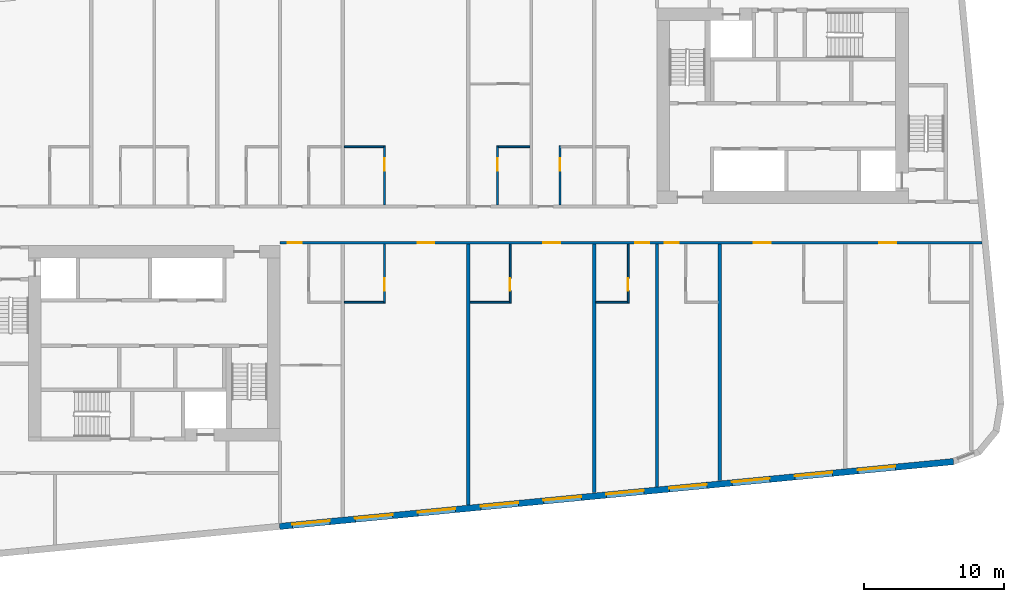
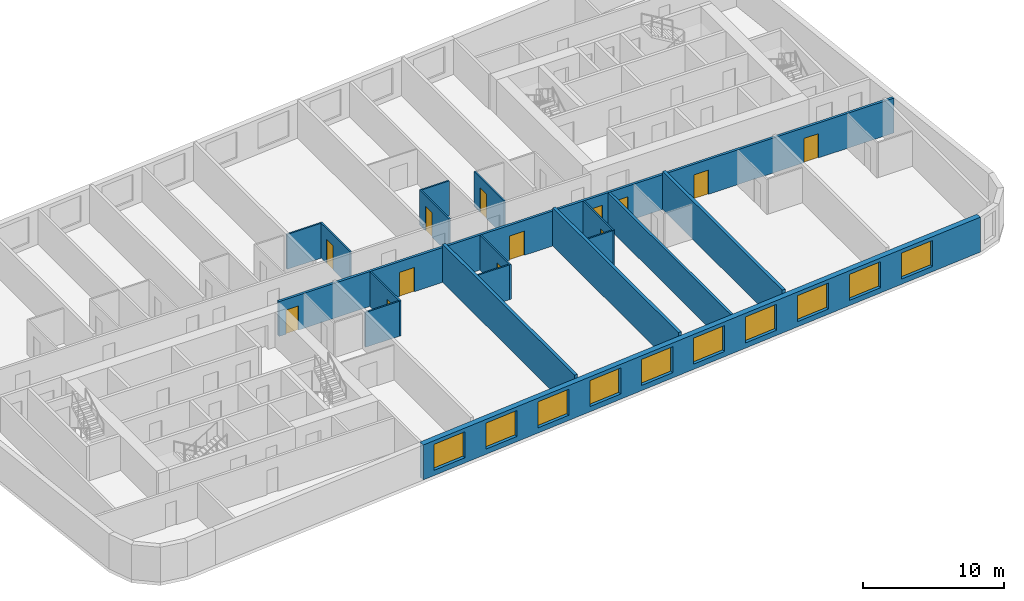
# One storey, part 4 of 11: 17 walls, 13 doors, 10 windows, 23 openings.
"""IFC4 building model written with IfcOpenShell, lengths in metres."""

from ifc_helpers import new_model, si_unit, direction, frame, frame_2d, origin, place, context, subcontext, project, spatial, rectangle, extrude, material, layer, layer_set, type_object, element, fill, save


model = new_model("IFC4")

# Units and contexts
model_context = context("Model", 3, precision=1e-05, world=origin(), true_north=direction((0.0, 1.0)))
body_context = subcontext(model_context, "Body", "Model", "MODEL_VIEW")
ifc_project = project(units=[si_unit("LENGTHUNIT", "METRE"), si_unit("AREAUNIT", "SQUARE_METRE"), si_unit("VOLUMEUNIT", "CUBIC_METRE"), si_unit("PLANEANGLEUNIT", "RADIAN"), si_unit("MASSUNIT", "GRAM", prefix="KILO")], contexts=[model_context])

# Site, building, storey
site_placement = place(None, origin())
site = spatial("IfcSite", under=ifc_project, at=site_placement, CompositionType="ELEMENT")
building_placement = place(site_placement, origin())
building = spatial("IfcBuilding", under=site, at=building_placement, Name="Kajstack Hotel Tower", CompositionType="ELEMENT")
storey_placement = place(building_placement, frame((0.0, 0.0, 291.60009765625)))
storey = spatial("IfcBuildingStorey", under=building, at=storey_placement, Name="L73", CompositionType="ELEMENT", Elevation=291.60009765625)

# Wall, openings, doors
ifc_material_1 = material(Name="Gypsum board on steel studs, mineral wool", Category="steel")
ifc_layer_1 = layer(ifc_material_1, 0.199951171875)
ifc_layer_set_1 = layer_set([ifc_layer_1], Name="Corridor wall 200")
wall_type_1 = type_object("IfcWallType", Name="Corridor wall 200", PredefinedType="PARTITIONING", material=ifc_layer_set_1)
wall_1_placement = place(storey_placement, frame((-13.5, -1.300048828125, 0.0), z_axis=(0.0, 0.0, 1.0), x_axis=(1.0, 0.0, 0.0)))
wall_1 = element("IfcWall", 1, at=wall_1_placement, inside=storey, type_object=wall_type_1, Name="G-wall-L73-028", PredefinedType="PARTITIONING", context=body_context, shape_type="SweptSolid", body=[
    extrude(rectangle(XDim=50.29296875, YDim=0.199951171875, at=frame_2d((25.146484375, 0.0))), origin(), (0.0, 0.0, 1.0), 3.02001953125),
])
opening_1_placement = place(wall_1_placement, frame((0.574951171875, 0.0, 0.0)))
opening_1 = element("IfcOpeningElement", 2, at=opening_1_placement, cuts=wall_1, Name="Opening 73022", PredefinedType="OPENING", context=body_context, shape_type="SweptSolid", body=[
    extrude(rectangle(XDim=1.0, YDim=2.10009765625, at=frame_2d((0.5, 1.050048828125))), frame((0.0, 0.10986328125, 0.0), z_axis=(0.0, -1.0, 0.0), x_axis=(1.0, 0.0, 0.0)), (0.0, 0.0, 1.0), 0.219970703125),
])
opening_2_placement = place(wall_1_placement, frame((9.863037109375, 0.0, 0.0)))
opening_2 = element("IfcOpeningElement", 3, at=opening_2_placement, cuts=wall_1, Name="Opening 73025", PredefinedType="OPENING", context=body_context, shape_type="SweptSolid", body=[
    extrude(rectangle(XDim=1.199951171875, YDim=2.10009765625, at=frame_2d((0.60009765625, 1.050048828125))), frame((0.0, 0.10986328125, 0.0), z_axis=(0.0, -1.0, 0.0), x_axis=(1.0, 0.0, 0.0)), (0.0, 0.0, 1.0), 0.219970703125),
])
opening_3_placement = place(wall_1_placement, frame((18.862060546875, 0.0, 0.0)))
opening_3 = element("IfcOpeningElement", 4, at=opening_3_placement, cuts=wall_1, Name="Opening 73027", PredefinedType="OPENING", context=body_context, shape_type="SweptSolid", body=[
    extrude(rectangle(XDim=1.199951171875, YDim=2.10009765625, at=frame_2d((0.60009765625, 1.050048828125))), frame((0.0, 0.10986328125, 0.0), z_axis=(0.0, -1.0, 0.0), x_axis=(1.0, 0.0, 0.0)), (0.0, 0.0, 1.0), 0.219970703125),
])
opening_4_placement = place(wall_1_placement, frame((25.449951171875, 0.0, 0.0)))
opening_4 = element("IfcOpeningElement", 5, at=opening_4_placement, cuts=wall_1, Name="Opening 73029", PredefinedType="OPENING", context=body_context, shape_type="SweptSolid", body=[
    extrude(rectangle(XDim=1.0, YDim=2.10009765625, at=frame_2d((0.5, 1.050048828125))), frame((0.0, 0.10986328125, 0.0), z_axis=(0.0, -1.0, 0.0), x_axis=(1.0, 0.0, 0.0)), (0.0, 0.0, 1.0), 0.219970703125),
])
opening_5_placement = place(wall_1_placement, frame((27.550048828125, 0.0, 0.0)))
opening_5 = element("IfcOpeningElement", 6, at=opening_5_placement, cuts=wall_1, Name="Opening 73031", PredefinedType="OPENING", context=body_context, shape_type="SweptSolid", body=[
    extrude(rectangle(XDim=1.0, YDim=2.10009765625, at=frame_2d((0.5, 1.050048828125))), frame((0.0, 0.10986328125, 0.0), z_axis=(0.0, -1.0, 0.0), x_axis=(1.0, 0.0, 0.0)), (0.0, 0.0, 1.0), 0.219970703125),
])
opening_6_placement = place(wall_1_placement, frame((33.93798828125, 0.0, 0.0)))
opening_6 = element("IfcOpeningElement", 7, at=opening_6_placement, cuts=wall_1, Name="Opening 73033", PredefinedType="OPENING", context=body_context, shape_type="SweptSolid", body=[
    extrude(rectangle(XDim=1.199951171875, YDim=2.10009765625, at=frame_2d((0.60009765625, 1.050048828125))), frame((0.0, 0.10986328125, 0.0), z_axis=(0.0, -1.0, 0.0), x_axis=(1.0, 0.0, 0.0)), (0.0, 0.0, 1.0), 0.219970703125),
])
opening_7_placement = place(wall_1_placement, frame((42.93798828125, 0.0, 0.0)))
opening_7 = element("IfcOpeningElement", 8, at=opening_7_placement, cuts=wall_1, Name="Opening 73035", PredefinedType="OPENING", context=body_context, shape_type="SweptSolid", body=[
    extrude(rectangle(XDim=1.199951171875, YDim=2.10009765625, at=frame_2d((0.60009765625, 1.050048828125))), frame((0.0, 0.10986328125, 0.0), z_axis=(0.0, -1.0, 0.0), x_axis=(1.0, 0.0, 0.0)), (0.0, 0.0, 1.0), 0.219970703125),
])
ifc_material_2 = material(Name="Oak veneer on timber core, fire-rated leaf", Category="wood")
door_type_1 = type_object("IfcDoorType", Name="Flat entrance door 1000", OperationType="SINGLE_SWING_LEFT", PredefinedType="DOOR", material=ifc_material_2)
door_1_placement = place(opening_1_placement, origin())
door_1 = element("IfcDoor", 9, at=door_1_placement, inside=storey, type_object=door_type_1, Name="G-door-L73-22", OperationType="SINGLE_SWING_LEFT", OverallHeight=2.10009765625, OverallWidth=1.0, PredefinedType="DOOR", context=body_context, shape_type="SweptSolid", body=[
    extrude(rectangle(XDim=1.0, YDim=2.10009765625, at=frame_2d((0.5, 1.050048828125))), frame((0.0, 0.02490234375, 0.0), z_axis=(0.0, -1.0, 0.0), x_axis=(1.0, 0.0, 0.0)), (0.0, 0.0, 1.0), 0.050048828125),
])
fill(opening_1, door_1)
door_2_placement = place(opening_4_placement, origin())
door_2 = element("IfcDoor", 10, at=door_2_placement, inside=storey, type_object=door_type_1, Name="G-door-L73-29", OperationType="SINGLE_SWING_LEFT", OverallHeight=2.10009765625, OverallWidth=1.0, PredefinedType="DOOR", context=body_context, shape_type="SweptSolid", body=[
    extrude(rectangle(XDim=1.0, YDim=2.10009765625, at=frame_2d((0.5, 1.050048828125))), frame((0.0, 0.02490234375, 0.0), z_axis=(0.0, -1.0, 0.0), x_axis=(1.0, 0.0, 0.0)), (0.0, 0.0, 1.0), 0.050048828125),
])
fill(opening_4, door_2)
door_3_placement = place(opening_5_placement, origin())
door_3 = element("IfcDoor", 11, at=door_3_placement, inside=storey, type_object=door_type_1, Name="G-door-L73-31", OperationType="SINGLE_SWING_RIGHT", OverallHeight=2.10009765625, OverallWidth=1.0, PredefinedType="DOOR", context=body_context, shape_type="SweptSolid", body=[
    extrude(rectangle(XDim=1.0, YDim=2.10009765625, at=frame_2d((0.5, 1.050048828125))), frame((0.0, 0.02490234375, 0.0), z_axis=(0.0, -1.0, 0.0), x_axis=(1.0, 0.0, 0.0)), (0.0, 0.0, 1.0), 0.050048828125),
])
fill(opening_5, door_3)
door_type_2 = type_object("IfcDoorType", Name="Flat entrance door 1200", OperationType="SINGLE_SWING_LEFT", PredefinedType="DOOR", material=ifc_material_2)
door_4_placement = place(opening_2_placement, origin())
door_4 = element("IfcDoor", 12, at=door_4_placement, inside=storey, type_object=door_type_2, Name="G-door-L73-25", OperationType="SINGLE_SWING_LEFT", OverallHeight=2.10009765625, OverallWidth=1.199951171875, PredefinedType="DOOR", context=body_context, shape_type="SweptSolid", body=[
    extrude(rectangle(XDim=1.199951171875, YDim=2.10009765625, at=frame_2d((0.60009765625, 1.050048828125))), frame((0.0, 0.02490234375, 0.0), z_axis=(0.0, -1.0, 0.0), x_axis=(1.0, 0.0, 0.0)), (0.0, 0.0, 1.0), 0.050048828125),
])
fill(opening_2, door_4)
door_5_placement = place(opening_3_placement, origin())
door_5 = element("IfcDoor", 13, at=door_5_placement, inside=storey, type_object=door_type_2, Name="G-door-L73-27", OperationType="SINGLE_SWING_RIGHT", OverallHeight=2.10009765625, OverallWidth=1.199951171875, PredefinedType="DOOR", context=body_context, shape_type="SweptSolid", body=[
    extrude(rectangle(XDim=1.199951171875, YDim=2.10009765625, at=frame_2d((0.60009765625, 1.050048828125))), frame((0.0, 0.02490234375, 0.0), z_axis=(0.0, -1.0, 0.0), x_axis=(1.0, 0.0, 0.0)), (0.0, 0.0, 1.0), 0.050048828125),
])
fill(opening_3, door_5)
door_6_placement = place(opening_6_placement, origin())
door_6 = element("IfcDoor", 14, at=door_6_placement, inside=storey, type_object=door_type_2, Name="G-door-L73-33", OperationType="SINGLE_SWING_RIGHT", OverallHeight=2.10009765625, OverallWidth=1.199951171875, PredefinedType="DOOR", context=body_context, shape_type="SweptSolid", body=[
    extrude(rectangle(XDim=1.199951171875, YDim=2.10009765625, at=frame_2d((0.60009765625, 1.050048828125))), frame((0.0, 0.02490234375, 0.0), z_axis=(0.0, -1.0, 0.0), x_axis=(1.0, 0.0, 0.0)), (0.0, 0.0, 1.0), 0.050048828125),
])
fill(opening_6, door_6)
door_7_placement = place(opening_7_placement, origin())
door_7 = element("IfcDoor", 15, at=door_7_placement, inside=storey, type_object=door_type_2, Name="G-door-L73-35", OperationType="SINGLE_SWING_LEFT", OverallHeight=2.10009765625, OverallWidth=1.199951171875, PredefinedType="DOOR", context=body_context, shape_type="SweptSolid", body=[
    extrude(rectangle(XDim=1.199951171875, YDim=2.10009765625, at=frame_2d((0.60009765625, 1.050048828125))), frame((0.0, 0.02490234375, 0.0), z_axis=(0.0, -1.0, 0.0), x_axis=(1.0, 0.0, 0.0)), (0.0, 0.0, 1.0), 0.050048828125),
])
fill(opening_7, door_7)

# Wall
ifc_material_3 = material(Name="Twin-frame gypsum board on steel studs, mineral wool", Category="steel")
ifc_layer_2 = layer(ifc_material_3, 0.199951171875)
ifc_layer_set_2 = layer_set([ifc_layer_2], Name="Demising wall 200")
wall_type_2 = type_object("IfcWallType", Name="Demising wall 200", PredefinedType="PARTITIONING", material=ifc_layer_set_2)
wall_2_placement = place(storey_placement, frame((13.5, -18.7958984375, 0.0), z_axis=(0.0, 0.0, 1.0), x_axis=(0.0, 1.0, 0.0)))
element("IfcWall", 16, at=wall_2_placement, inside=storey, type_object=wall_type_2, Name="G-wall-L73-036", PredefinedType="PARTITIONING", context=body_context, shape_type="SweptSolid", body=[
    extrude(rectangle(XDim=17.39599609375, YDim=0.199951171875, at=frame_2d((8.697998046875, 0.0))), origin(), (0.0, 0.0, 1.0), 3.02001953125),
])

# Wall, openings, windows
ifc_material_4 = material(Name="Terracotta-faced brick masonry", Category="masonry")
ifc_layer_3 = layer(ifc_material_4, 0.449951171875)
ifc_layer_set_3 = layer_set([ifc_layer_3], Name="EW-TERRA")
wall_type_3 = type_object("IfcWallType", Name="EW-TERRA", PredefinedType="SOLIDWALL", material=ifc_layer_set_3)
wall_3_placement = place(storey_placement, frame((-13.521484375, -21.6240234375, 0.0), z_axis=(0.0, 0.0, 1.0), x_axis=(0.995396186218, 0.095845878695, 0.0)))
wall_3 = element("IfcWall", 17, at=wall_3_placement, inside=storey, type_object=wall_type_3, Name="E-wall-L73-04-02", PredefinedType="SOLIDWALL", context=body_context, shape_type="SweptSolid", body=[
    extrude(rectangle(XDim=48.481201171875, YDim=0.449951171875, at=frame_2d((24.24072265625, 0.0))), origin(), (0.0, 0.0, 1.0), 3.02001953125),
])
opening_8_placement = place(wall_3_placement, frame((0.910400390625, 0.0, 0.449951171875)))
opening_8 = element("IfcOpeningElement", 18, at=opening_8_placement, cuts=wall_3, Name="Opening W1", PredefinedType="OPENING", context=body_context, shape_type="SweptSolid", body=[
    extrude(rectangle(XDim=2.699951171875, YDim=2.25, at=frame_2d((1.35009765625, 1.125))), frame((0.0, 0.23486328125, 0.0), z_axis=(0.0, -1.0, 0.0), x_axis=(1.0, 0.0, 0.0)), (0.0, 0.0, 1.0), 0.469970703125),
])
opening_9_placement = place(wall_3_placement, frame((5.43115234375, 0.0, 0.449951171875)))
opening_9 = element("IfcOpeningElement", 19, at=opening_9_placement, cuts=wall_3, Name="Opening W1", PredefinedType="OPENING", context=body_context, shape_type="SweptSolid", body=[
    extrude(rectangle(XDim=2.699951171875, YDim=2.25, at=frame_2d((1.35009765625, 1.125))), frame((0.0, 0.23486328125, 0.0), z_axis=(0.0, -1.0, 0.0), x_axis=(1.0, 0.0, 0.0)), (0.0, 0.0, 1.0), 0.469970703125),
])
opening_10_placement = place(wall_3_placement, frame((9.951904296875, 0.0, 0.449951171875)))
opening_10 = element("IfcOpeningElement", 20, at=opening_10_placement, cuts=wall_3, Name="Opening W1", PredefinedType="OPENING", context=body_context, shape_type="SweptSolid", body=[
    extrude(rectangle(XDim=2.699951171875, YDim=2.25, at=frame_2d((1.35009765625, 1.125))), frame((0.0, 0.23486328125, 0.0), z_axis=(0.0, -1.0, 0.0), x_axis=(1.0, 0.0, 0.0)), (0.0, 0.0, 1.0), 0.469970703125),
])
opening_11_placement = place(wall_3_placement, frame((14.472900390625, 0.0, 0.449951171875)))
opening_11 = element("IfcOpeningElement", 21, at=opening_11_placement, cuts=wall_3, Name="Opening W1", PredefinedType="OPENING", context=body_context, shape_type="SweptSolid", body=[
    extrude(rectangle(XDim=2.699951171875, YDim=2.25, at=frame_2d((1.35009765625, 1.125))), frame((0.0, 0.23486328125, 0.0), z_axis=(0.0, -1.0, 0.0), x_axis=(1.0, 0.0, 0.0)), (0.0, 0.0, 1.0), 0.469970703125),
])
opening_12_placement = place(wall_3_placement, frame((18.99365234375, 0.0, 0.449951171875)))
opening_12 = element("IfcOpeningElement", 22, at=opening_12_placement, cuts=wall_3, Name="Opening W1", PredefinedType="OPENING", context=body_context, shape_type="SweptSolid", body=[
    extrude(rectangle(XDim=2.699951171875, YDim=2.25, at=frame_2d((1.35009765625, 1.125))), frame((0.0, 0.23486328125, 0.0), z_axis=(0.0, -1.0, 0.0), x_axis=(1.0, 0.0, 0.0)), (0.0, 0.0, 1.0), 0.469970703125),
])
opening_13_placement = place(wall_3_placement, frame((23.514404296875, 0.0, 0.449951171875)))
opening_13 = element("IfcOpeningElement", 23, at=opening_13_placement, cuts=wall_3, Name="Opening W1", PredefinedType="OPENING", context=body_context, shape_type="SweptSolid", body=[
    extrude(rectangle(XDim=2.699951171875, YDim=2.25, at=frame_2d((1.35009765625, 1.125))), frame((0.0, 0.23486328125, 0.0), z_axis=(0.0, -1.0, 0.0), x_axis=(1.0, 0.0, 0.0)), (0.0, 0.0, 1.0), 0.469970703125),
])
opening_14_placement = place(wall_3_placement, frame((28.03515625, 0.0, 0.449951171875)))
opening_14 = element("IfcOpeningElement", 24, at=opening_14_placement, cuts=wall_3, Name="Opening W1", PredefinedType="OPENING", context=body_context, shape_type="SweptSolid", body=[
    extrude(rectangle(XDim=2.699951171875, YDim=2.25, at=frame_2d((1.35009765625, 1.125))), frame((0.0, 0.23486328125, 0.0), z_axis=(0.0, -1.0, 0.0), x_axis=(1.0, 0.0, 0.0)), (0.0, 0.0, 1.0), 0.469970703125),
])
opening_15_placement = place(wall_3_placement, frame((32.55615234375, 0.0, 0.449951171875)))
opening_15 = element("IfcOpeningElement", 25, at=opening_15_placement, cuts=wall_3, Name="Opening W1", PredefinedType="OPENING", context=body_context, shape_type="SweptSolid", body=[
    extrude(rectangle(XDim=2.699951171875, YDim=2.25, at=frame_2d((1.35009765625, 1.125))), frame((0.0, 0.23486328125, 0.0), z_axis=(0.0, -1.0, 0.0), x_axis=(1.0, 0.0, 0.0)), (0.0, 0.0, 1.0), 0.469970703125),
])
opening_16_placement = place(wall_3_placement, frame((37.076904296875, 0.0, 0.449951171875)))
opening_16 = element("IfcOpeningElement", 26, at=opening_16_placement, cuts=wall_3, Name="Opening W1", PredefinedType="OPENING", context=body_context, shape_type="SweptSolid", body=[
    extrude(rectangle(XDim=2.699951171875, YDim=2.25, at=frame_2d((1.35009765625, 1.125))), frame((0.0, 0.23486328125, 0.0), z_axis=(0.0, -1.0, 0.0), x_axis=(1.0, 0.0, 0.0)), (0.0, 0.0, 1.0), 0.469970703125),
])
opening_17_placement = place(wall_3_placement, frame((41.59765625, 0.0, 0.449951171875)))
opening_17 = element("IfcOpeningElement", 27, at=opening_17_placement, cuts=wall_3, Name="Opening W1", PredefinedType="OPENING", context=body_context, shape_type="SweptSolid", body=[
    extrude(rectangle(XDim=2.699951171875, YDim=2.25, at=frame_2d((1.35009765625, 1.125))), frame((0.0, 0.23486328125, 0.0), z_axis=(0.0, -1.0, 0.0), x_axis=(1.0, 0.0, 0.0)), (0.0, 0.0, 1.0), 0.469970703125),
])
ifc_material_5 = material(Name="Timber-aluminium window, triple glazed", Category="wood")
window_type = type_object("IfcWindowType", Name="WG1", PartitioningType="SINGLE_PANEL", PredefinedType="WINDOW", material=ifc_material_5)
window_1_placement = place(opening_8_placement, origin())
window_1 = element("IfcWindow", 28, at=window_1_placement, inside=storey, type_object=window_type, Name="Window W1 L73-04", OverallHeight=2.25, OverallWidth=2.699951171875, PartitioningType="SINGLE_PANEL", PredefinedType="WINDOW", context=body_context, shape_type="SweptSolid", body=[
    extrude(rectangle(XDim=2.699951171875, YDim=2.25, at=frame_2d((1.35009765625, 1.125))), frame((0.0, 0.090087890625, 0.0), z_axis=(0.0, -1.0, 0.0), x_axis=(1.0, 0.0, 0.0)), (0.0, 0.0, 1.0), 0.06005859375),
])
fill(opening_8, window_1)
window_2_placement = place(opening_9_placement, origin())
window_2 = element("IfcWindow", 29, at=window_2_placement, inside=storey, type_object=window_type, Name="Window W1 L73-04", OverallHeight=2.25, OverallWidth=2.699951171875, PartitioningType="SINGLE_PANEL", PredefinedType="WINDOW", context=body_context, shape_type="SweptSolid", body=[
    extrude(rectangle(XDim=2.699951171875, YDim=2.25, at=frame_2d((1.35009765625, 1.125))), frame((0.0, 0.090087890625, 0.0), z_axis=(0.0, -1.0, 0.0), x_axis=(1.0, 0.0, 0.0)), (0.0, 0.0, 1.0), 0.06005859375),
])
fill(opening_9, window_2)
window_3_placement = place(opening_10_placement, origin())
window_3 = element("IfcWindow", 30, at=window_3_placement, inside=storey, type_object=window_type, Name="Window W1 L73-04", OverallHeight=2.25, OverallWidth=2.699951171875, PartitioningType="SINGLE_PANEL", PredefinedType="WINDOW", context=body_context, shape_type="SweptSolid", body=[
    extrude(rectangle(XDim=2.699951171875, YDim=2.25, at=frame_2d((1.35009765625, 1.125))), frame((0.0, 0.090087890625, 0.0), z_axis=(0.0, -1.0, 0.0), x_axis=(1.0, 0.0, 0.0)), (0.0, 0.0, 1.0), 0.06005859375),
])
fill(opening_10, window_3)
window_4_placement = place(opening_11_placement, origin())
window_4 = element("IfcWindow", 31, at=window_4_placement, inside=storey, type_object=window_type, Name="Window W1 L73-04", OverallHeight=2.25, OverallWidth=2.699951171875, PartitioningType="SINGLE_PANEL", PredefinedType="WINDOW", context=body_context, shape_type="SweptSolid", body=[
    extrude(rectangle(XDim=2.699951171875, YDim=2.25, at=frame_2d((1.35009765625, 1.125))), frame((0.0, 0.090087890625, 0.0), z_axis=(0.0, -1.0, 0.0), x_axis=(1.0, 0.0, 0.0)), (0.0, 0.0, 1.0), 0.06005859375),
])
fill(opening_11, window_4)
window_5_placement = place(opening_12_placement, origin())
window_5 = element("IfcWindow", 32, at=window_5_placement, inside=storey, type_object=window_type, Name="Window W1 L73-04", OverallHeight=2.25, OverallWidth=2.699951171875, PartitioningType="SINGLE_PANEL", PredefinedType="WINDOW", context=body_context, shape_type="SweptSolid", body=[
    extrude(rectangle(XDim=2.699951171875, YDim=2.25, at=frame_2d((1.35009765625, 1.125))), frame((0.0, 0.090087890625, 0.0), z_axis=(0.0, -1.0, 0.0), x_axis=(1.0, 0.0, 0.0)), (0.0, 0.0, 1.0), 0.06005859375),
])
fill(opening_12, window_5)
window_6_placement = place(opening_13_placement, origin())
window_6 = element("IfcWindow", 33, at=window_6_placement, inside=storey, type_object=window_type, Name="Window W1 L73-04", OverallHeight=2.25, OverallWidth=2.699951171875, PartitioningType="SINGLE_PANEL", PredefinedType="WINDOW", context=body_context, shape_type="SweptSolid", body=[
    extrude(rectangle(XDim=2.699951171875, YDim=2.25, at=frame_2d((1.35009765625, 1.125))), frame((0.0, 0.090087890625, 0.0), z_axis=(0.0, -1.0, 0.0), x_axis=(1.0, 0.0, 0.0)), (0.0, 0.0, 1.0), 0.06005859375),
])
fill(opening_13, window_6)
window_7_placement = place(opening_14_placement, origin())
window_7 = element("IfcWindow", 34, at=window_7_placement, inside=storey, type_object=window_type, Name="Window W1 L73-04", OverallHeight=2.25, OverallWidth=2.699951171875, PartitioningType="SINGLE_PANEL", PredefinedType="WINDOW", context=body_context, shape_type="SweptSolid", body=[
    extrude(rectangle(XDim=2.699951171875, YDim=2.25, at=frame_2d((1.35009765625, 1.125))), frame((0.0, 0.090087890625, 0.0), z_axis=(0.0, -1.0, 0.0), x_axis=(1.0, 0.0, 0.0)), (0.0, 0.0, 1.0), 0.06005859375),
])
fill(opening_14, window_7)
window_8_placement = place(opening_15_placement, origin())
window_8 = element("IfcWindow", 35, at=window_8_placement, inside=storey, type_object=window_type, Name="Window W1 L73-04", OverallHeight=2.25, OverallWidth=2.699951171875, PartitioningType="SINGLE_PANEL", PredefinedType="WINDOW", context=body_context, shape_type="SweptSolid", body=[
    extrude(rectangle(XDim=2.699951171875, YDim=2.25, at=frame_2d((1.35009765625, 1.125))), frame((0.0, 0.090087890625, 0.0), z_axis=(0.0, -1.0, 0.0), x_axis=(1.0, 0.0, 0.0)), (0.0, 0.0, 1.0), 0.06005859375),
])
fill(opening_15, window_8)
window_9_placement = place(opening_16_placement, origin())
window_9 = element("IfcWindow", 36, at=window_9_placement, inside=storey, type_object=window_type, Name="Window W1 L73-04", OverallHeight=2.25, OverallWidth=2.699951171875, PartitioningType="SINGLE_PANEL", PredefinedType="WINDOW", context=body_context, shape_type="SweptSolid", body=[
    extrude(rectangle(XDim=2.699951171875, YDim=2.25, at=frame_2d((1.35009765625, 1.125))), frame((0.0, 0.090087890625, 0.0), z_axis=(0.0, -1.0, 0.0), x_axis=(1.0, 0.0, 0.0)), (0.0, 0.0, 1.0), 0.06005859375),
])
fill(opening_16, window_9)
window_10_placement = place(opening_17_placement, origin())
window_10 = element("IfcWindow", 37, at=window_10_placement, inside=storey, type_object=window_type, Name="Window W1 L73-04", OverallHeight=2.25, OverallWidth=2.699951171875, PartitioningType="SINGLE_PANEL", PredefinedType="WINDOW", context=body_context, shape_type="SweptSolid", body=[
    extrude(rectangle(XDim=2.699951171875, YDim=2.25, at=frame_2d((1.35009765625, 1.125))), frame((0.0, 0.090087890625, 0.0), z_axis=(0.0, -1.0, 0.0), x_axis=(1.0, 0.0, 0.0)), (0.0, 0.0, 1.0), 0.06005859375),
])
fill(opening_17, window_10)

# Wall, opening, door
ifc_material_6 = material(Name="Gypsum board and tiled backer on steel studs", Category="steel")
ifc_layer_4 = layer(ifc_material_6, 0.125)
ifc_layer_set_4 = layer_set([ifc_layer_4], Name="En-suite wall 125")
wall_type_4 = type_object("IfcWallType", Name="En-suite wall 125", PredefinedType="PARTITIONING", material=ifc_layer_set_4)
wall_4_placement = place(storey_placement, frame((-6.012939453125, 1.39990234375, 0.0), z_axis=(0.0, 0.0, 1.0), x_axis=(0.0, 1.0, 0.0)))
wall_4 = element("IfcWall", 38, at=wall_4_placement, inside=storey, type_object=wall_type_4, Name="G-wall-L73-018", PredefinedType="PARTITIONING", context=body_context, shape_type="SweptSolid", body=[
    extrude(rectangle(XDim=4.22509765625, YDim=0.125, at=frame_2d((2.112548828125, 0.0))), origin(), (0.0, 0.0, 1.0), 3.02001953125),
])
opening_18_placement = place(wall_4_placement, frame((2.449951171875, 0.0, 0.0)))
opening_18 = element("IfcOpeningElement", 39, at=opening_18_placement, cuts=wall_4, Name="Opening 73014", PredefinedType="OPENING", context=body_context, shape_type="SweptSolid", body=[
    extrude(rectangle(XDim=0.89990234375, YDim=2.10009765625, at=frame_2d((0.449951171875, 1.050048828125))), frame((0.0, 0.072509765625, 0.0), z_axis=(0.0, -1.0, 0.0), x_axis=(1.0, 0.0, 0.0)), (0.0, 0.0, 1.0), 0.14501953125),
])
ifc_material_7 = material(Name="Painted timber door leaf", Category="wood")
door_type_3 = type_object("IfcDoorType", Name="Room door 900", OperationType="SINGLE_SWING_LEFT", PredefinedType="DOOR", material=ifc_material_7)
door_8_placement = place(opening_18_placement, origin())
door_8 = element("IfcDoor", 40, at=door_8_placement, inside=storey, type_object=door_type_3, Name="G-door-L73-14", OperationType="SINGLE_SWING_LEFT", OverallHeight=2.10009765625, OverallWidth=0.89990234375, PredefinedType="DOOR", context=body_context, shape_type="SweptSolid", body=[
    extrude(rectangle(XDim=0.89990234375, YDim=2.10009765625, at=frame_2d((0.449951171875, 1.050048828125))), frame((0.0, 0.02490234375, 0.0), z_axis=(0.0, -1.0, 0.0), x_axis=(1.0, 0.0, 0.0)), (0.0, 0.0, 1.0), 0.050048828125),
])
fill(opening_18, door_8)

# Wall
wall_5_placement = place(storey_placement, frame((-8.875, 5.56201171875, 0.0), z_axis=(0.0, 0.0, 1.0), x_axis=(1.0, 0.0, 0.0)))
element("IfcWall", 41, at=wall_5_placement, inside=storey, type_object=wall_type_4, Name="G-wall-L73-019", PredefinedType="PARTITIONING", context=body_context, shape_type="SweptSolid", body=[
    extrude(rectangle(XDim=2.800048828125, YDim=0.125, at=frame_2d((1.39990234375, 0.0))), origin(), (0.0, 0.0, 1.0), 3.02001953125),
])

# Wall, opening, door
wall_6_placement = place(storey_placement, frame((2.0869140625, 1.39990234375, 0.0), z_axis=(0.0, 0.0, 1.0), x_axis=(0.0, 1.0, 0.0)))
wall_6 = element("IfcWall", 42, at=wall_6_placement, inside=storey, type_object=wall_type_4, Name="G-wall-L73-021", PredefinedType="PARTITIONING", context=body_context, shape_type="SweptSolid", body=[
    extrude(rectangle(XDim=4.22509765625, YDim=0.125, at=frame_2d((2.112548828125, 0.0))), origin(), (0.0, 0.0, 1.0), 3.02001953125),
])
opening_19_placement = place(wall_6_placement, frame((2.449951171875, 0.0, 0.0)))
opening_19 = element("IfcOpeningElement", 43, at=opening_19_placement, cuts=wall_6, Name="Opening 73016", PredefinedType="OPENING", context=body_context, shape_type="SweptSolid", body=[
    extrude(rectangle(XDim=0.89990234375, YDim=2.10009765625, at=frame_2d((0.449951171875, 1.050048828125))), frame((0.0, 0.072509765625, 0.0), z_axis=(0.0, -1.0, 0.0), x_axis=(1.0, 0.0, 0.0)), (0.0, 0.0, 1.0), 0.14501953125),
])
door_9_placement = place(opening_19_placement, origin())
door_9 = element("IfcDoor", 44, at=door_9_placement, inside=storey, type_object=door_type_3, Name="G-door-L73-16", OperationType="SINGLE_SWING_RIGHT", OverallHeight=2.10009765625, OverallWidth=0.89990234375, PredefinedType="DOOR", context=body_context, shape_type="SweptSolid", body=[
    extrude(rectangle(XDim=0.89990234375, YDim=2.10009765625, at=frame_2d((0.449951171875, 1.050048828125))), frame((0.0, 0.02490234375, 0.0), z_axis=(0.0, -1.0, 0.0), x_axis=(1.0, 0.0, 0.0)), (0.0, 0.0, 1.0), 0.050048828125),
])
fill(opening_19, door_9)

# Wall
wall_7_placement = place(storey_placement, frame((2.14990234375, 5.56201171875, 0.0), z_axis=(0.0, 0.0, 1.0), x_axis=(1.0, 0.0, 0.0)))
element("IfcWall", 45, at=wall_7_placement, inside=storey, type_object=wall_type_4, Name="G-wall-L73-022", PredefinedType="PARTITIONING", context=body_context, shape_type="SweptSolid", body=[
    extrude(rectangle(XDim=2.25, YDim=0.125, at=frame_2d((1.125, 0.0))), origin(), (0.0, 0.0, 1.0), 3.02001953125),
])

# Wall, opening, door
wall_8_placement = place(storey_placement, frame((6.56201171875, 1.39990234375, 0.0), z_axis=(0.0, 0.0, 1.0), x_axis=(0.0, 1.0, 0.0)))
wall_8 = element("IfcWall", 46, at=wall_8_placement, inside=storey, type_object=wall_type_4, Name="G-wall-L73-024", PredefinedType="PARTITIONING", context=body_context, shape_type="SweptSolid", body=[
    extrude(rectangle(XDim=4.22509765625, YDim=0.125, at=frame_2d((2.112548828125, 0.0))), origin(), (0.0, 0.0, 1.0), 3.02001953125),
])
opening_20_placement = place(wall_8_placement, frame((2.449951171875, 0.0, 0.0)))
opening_20 = element("IfcOpeningElement", 47, at=opening_20_placement, cuts=wall_8, Name="Opening 73019", PredefinedType="OPENING", context=body_context, shape_type="SweptSolid", body=[
    extrude(rectangle(XDim=0.89990234375, YDim=2.10009765625, at=frame_2d((0.449951171875, 1.050048828125))), frame((0.0, 0.072509765625, 0.0), z_axis=(0.0, -1.0, 0.0), x_axis=(1.0, 0.0, 0.0)), (0.0, 0.0, 1.0), 0.14501953125),
])
door_10_placement = place(opening_20_placement, origin())
door_10 = element("IfcDoor", 48, at=door_10_placement, inside=storey, type_object=door_type_3, Name="G-door-L73-19", OperationType="SINGLE_SWING_RIGHT", OverallHeight=2.10009765625, OverallWidth=0.89990234375, PredefinedType="DOOR", context=body_context, shape_type="SweptSolid", body=[
    extrude(rectangle(XDim=0.89990234375, YDim=2.10009765625, at=frame_2d((0.449951171875, 1.050048828125))), frame((0.0, 0.02490234375, 0.0), z_axis=(0.0, -1.0, 0.0), x_axis=(1.0, 0.0, 0.0)), (0.0, 0.0, 1.0), 0.050048828125),
])
fill(opening_20, door_10)

wall_9_placement = place(storey_placement, frame((-6.012939453125, -5.625, 0.0), z_axis=(0.0, 0.0, 1.0), x_axis=(0.0, 1.0, 0.0)))
wall_9 = element("IfcWall", 49, at=wall_9_placement, inside=storey, type_object=wall_type_4, Name="G-wall-L73-032", PredefinedType="PARTITIONING", context=body_context, shape_type="SweptSolid", body=[
    extrude(rectangle(XDim=4.22509765625, YDim=0.125, at=frame_2d((2.112548828125, 0.0))), origin(), (0.0, 0.0, 1.0), 3.02001953125),
])
opening_21_placement = place(wall_9_placement, frame((0.875, 0.0, 0.0)))
opening_21 = element("IfcOpeningElement", 50, at=opening_21_placement, cuts=wall_9, Name="Opening 73026", PredefinedType="OPENING", context=body_context, shape_type="SweptSolid", body=[
    extrude(rectangle(XDim=0.89990234375, YDim=2.10009765625, at=frame_2d((0.449951171875, 1.050048828125))), frame((0.0, 0.072509765625, 0.0), z_axis=(0.0, -1.0, 0.0), x_axis=(1.0, 0.0, 0.0)), (0.0, 0.0, 1.0), 0.14501953125),
])
door_11_placement = place(opening_21_placement, origin())
door_11 = element("IfcDoor", 51, at=door_11_placement, inside=storey, type_object=door_type_3, Name="G-door-L73-26", OperationType="SINGLE_SWING_LEFT", OverallHeight=2.10009765625, OverallWidth=0.89990234375, PredefinedType="DOOR", context=body_context, shape_type="SweptSolid", body=[
    extrude(rectangle(XDim=0.89990234375, YDim=2.10009765625, at=frame_2d((0.449951171875, 1.050048828125))), frame((0.0, 0.02490234375, 0.0), z_axis=(0.0, -1.0, 0.0), x_axis=(1.0, 0.0, 0.0)), (0.0, 0.0, 1.0), 0.050048828125),
])
fill(opening_21, door_11)

# Wall
wall_10_placement = place(storey_placement, frame((-8.875, -5.56201171875, 0.0), z_axis=(0.0, 0.0, 1.0), x_axis=(1.0, 0.0, 0.0)))
element("IfcWall", 52, at=wall_10_placement, inside=storey, type_object=wall_type_4, Name="G-wall-L73-033", PredefinedType="PARTITIONING", context=body_context, shape_type="SweptSolid", body=[
    extrude(rectangle(XDim=2.800048828125, YDim=0.125, at=frame_2d((1.39990234375, 0.0))), origin(), (0.0, 0.0, 1.0), 3.02001953125),
])

# Wall, opening, door
wall_11_placement = place(storey_placement, frame((2.987060546875, -5.625, 0.0), z_axis=(0.0, 0.0, 1.0), x_axis=(0.0, 1.0, 0.0)))
wall_11 = element("IfcWall", 53, at=wall_11_placement, inside=storey, type_object=wall_type_4, Name="G-wall-L73-034", PredefinedType="PARTITIONING", context=body_context, shape_type="SweptSolid", body=[
    extrude(rectangle(XDim=4.22509765625, YDim=0.125, at=frame_2d((2.112548828125, 0.0))), origin(), (0.0, 0.0, 1.0), 3.02001953125),
])
opening_22_placement = place(wall_11_placement, frame((0.875, 0.0, 0.0)))
opening_22 = element("IfcOpeningElement", 54, at=opening_22_placement, cuts=wall_11, Name="Opening 73028", PredefinedType="OPENING", context=body_context, shape_type="SweptSolid", body=[
    extrude(rectangle(XDim=0.89990234375, YDim=2.10009765625, at=frame_2d((0.449951171875, 1.050048828125))), frame((0.0, 0.072509765625, 0.0), z_axis=(0.0, -1.0, 0.0), x_axis=(1.0, 0.0, 0.0)), (0.0, 0.0, 1.0), 0.14501953125),
])
door_12_placement = place(opening_22_placement, origin())
door_12 = element("IfcDoor", 55, at=door_12_placement, inside=storey, type_object=door_type_3, Name="G-door-L73-28", OperationType="SINGLE_SWING_LEFT", OverallHeight=2.10009765625, OverallWidth=0.89990234375, PredefinedType="DOOR", context=body_context, shape_type="SweptSolid", body=[
    extrude(rectangle(XDim=0.89990234375, YDim=2.10009765625, at=frame_2d((0.449951171875, 1.050048828125))), frame((0.0, 0.02490234375, 0.0), z_axis=(0.0, -1.0, 0.0), x_axis=(1.0, 0.0, 0.0)), (0.0, 0.0, 1.0), 0.050048828125),
])
fill(opening_22, door_12)

# Wall
wall_12_placement = place(storey_placement, frame((0.125, -5.56201171875, 0.0), z_axis=(0.0, 0.0, 1.0), x_axis=(1.0, 0.0, 0.0)))
element("IfcWall", 56, at=wall_12_placement, inside=storey, type_object=wall_type_4, Name="G-wall-L73-035", PredefinedType="PARTITIONING", context=body_context, shape_type="SweptSolid", body=[
    extrude(rectangle(XDim=2.800048828125, YDim=0.125, at=frame_2d((1.39990234375, 0.0))), origin(), (0.0, 0.0, 1.0), 3.02001953125),
])

# Wall, opening, door
wall_13_placement = place(storey_placement, frame((11.43798828125, -5.625, 0.0), z_axis=(0.0, 0.0, 1.0), x_axis=(0.0, 1.0, 0.0)))
wall_13 = element("IfcWall", 57, at=wall_13_placement, inside=storey, type_object=wall_type_4, Name="G-wall-L73-037", PredefinedType="PARTITIONING", context=body_context, shape_type="SweptSolid", body=[
    extrude(rectangle(XDim=4.22509765625, YDim=0.125, at=frame_2d((2.112548828125, 0.0))), origin(), (0.0, 0.0, 1.0), 3.02001953125),
])
opening_23_placement = place(wall_13_placement, frame((0.875, 0.0, 0.0)))
opening_23 = element("IfcOpeningElement", 58, at=opening_23_placement, cuts=wall_13, Name="Opening 73030", PredefinedType="OPENING", context=body_context, shape_type="SweptSolid", body=[
    extrude(rectangle(XDim=0.89990234375, YDim=2.10009765625, at=frame_2d((0.449951171875, 1.050048828125))), frame((0.0, 0.072509765625, 0.0), z_axis=(0.0, -1.0, 0.0), x_axis=(1.0, 0.0, 0.0)), (0.0, 0.0, 1.0), 0.14501953125),
])
door_13_placement = place(opening_23_placement, origin())
door_13 = element("IfcDoor", 59, at=door_13_placement, inside=storey, type_object=door_type_3, Name="G-door-L73-30", OperationType="SINGLE_SWING_LEFT", OverallHeight=2.10009765625, OverallWidth=0.89990234375, PredefinedType="DOOR", context=body_context, shape_type="SweptSolid", body=[
    extrude(rectangle(XDim=0.89990234375, YDim=2.10009765625, at=frame_2d((0.449951171875, 1.050048828125))), frame((0.0, 0.02490234375, 0.0), z_axis=(0.0, -1.0, 0.0), x_axis=(1.0, 0.0, 0.0)), (0.0, 0.0, 1.0), 0.050048828125),
])
fill(opening_23, door_13)

# Walls
wall_14_placement = place(storey_placement, frame((9.125, -5.56201171875, 0.0), z_axis=(0.0, 0.0, 1.0), x_axis=(1.0, 0.0, 0.0)))
element("IfcWall", 60, at=wall_14_placement, inside=storey, type_object=wall_type_4, Name="G-wall-L73-038", PredefinedType="PARTITIONING", context=body_context, shape_type="SweptSolid", body=[
    extrude(rectangle(XDim=2.25, YDim=0.125, at=frame_2d((1.125, 0.0))), origin(), (0.0, 0.0, 1.0), 3.02001953125),
])
ifc_material_8 = material(Name="Concrete C40/50", Category="concrete")
ifc_layer_5 = layer(ifc_material_8, 0.25)
ifc_layer_set_5 = layer_set([ifc_layer_5], Name="RC cross wall 250 C40/50")
wall_type_5 = type_object("IfcWallType", Name="RC cross wall 250 C40/50", PredefinedType="SHEAR", material=ifc_layer_set_5)
wall_15_placement = place(storey_placement, frame((0.0, -20.073974609375, 0.0), z_axis=(0.0, 0.0, 1.0), x_axis=(0.0, 1.0, 0.0)))
element("IfcWall", 61, at=wall_15_placement, inside=storey, type_object=wall_type_5, Name="S-wall-L73-06", PredefinedType="SHEAR", context=body_context, shape_type="SweptSolid", body=[
    extrude(rectangle(XDim=18.674072265625, YDim=0.25, at=frame_2d((9.3369140625, 0.0))), origin(), (0.0, 0.0, 1.0), 3.2998046875),
])
wall_16_placement = place(storey_placement, frame((9.0, -19.207275390625, 0.0), z_axis=(0.0, 0.0, 1.0), x_axis=(0.0, 1.0, 0.0)))
element("IfcWall", 62, at=wall_16_placement, inside=storey, type_object=wall_type_5, Name="S-wall-L73-08", PredefinedType="SHEAR", context=body_context, shape_type="SweptSolid", body=[
    extrude(rectangle(XDim=17.807373046875, YDim=0.25, at=frame_2d((8.90380859375, 0.0))), origin(), (0.0, 0.0, 1.0), 3.2998046875),
])
wall_17_placement = place(storey_placement, frame((18.0, -18.3408203125, 0.0), z_axis=(0.0, 0.0, 1.0), x_axis=(0.0, 1.0, 0.0)))
element("IfcWall", 63, at=wall_17_placement, inside=storey, type_object=wall_type_5, Name="S-wall-L73-10", PredefinedType="SHEAR", context=body_context, shape_type="SweptSolid", body=[
    extrude(rectangle(XDim=16.94091796875, YDim=0.25, at=frame_2d((8.470458984375, 0.0))), origin(), (0.0, 0.0, 1.0), 3.2998046875),
])

save(model, "model.ifc")
